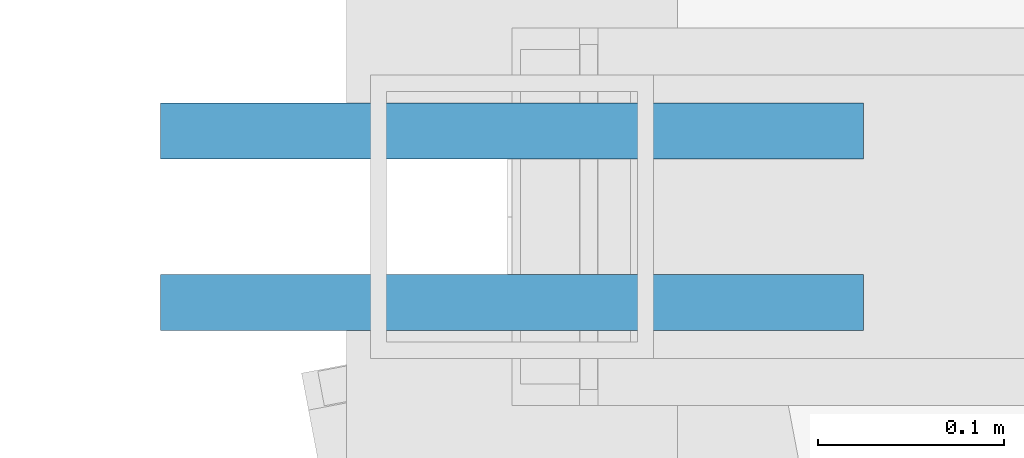
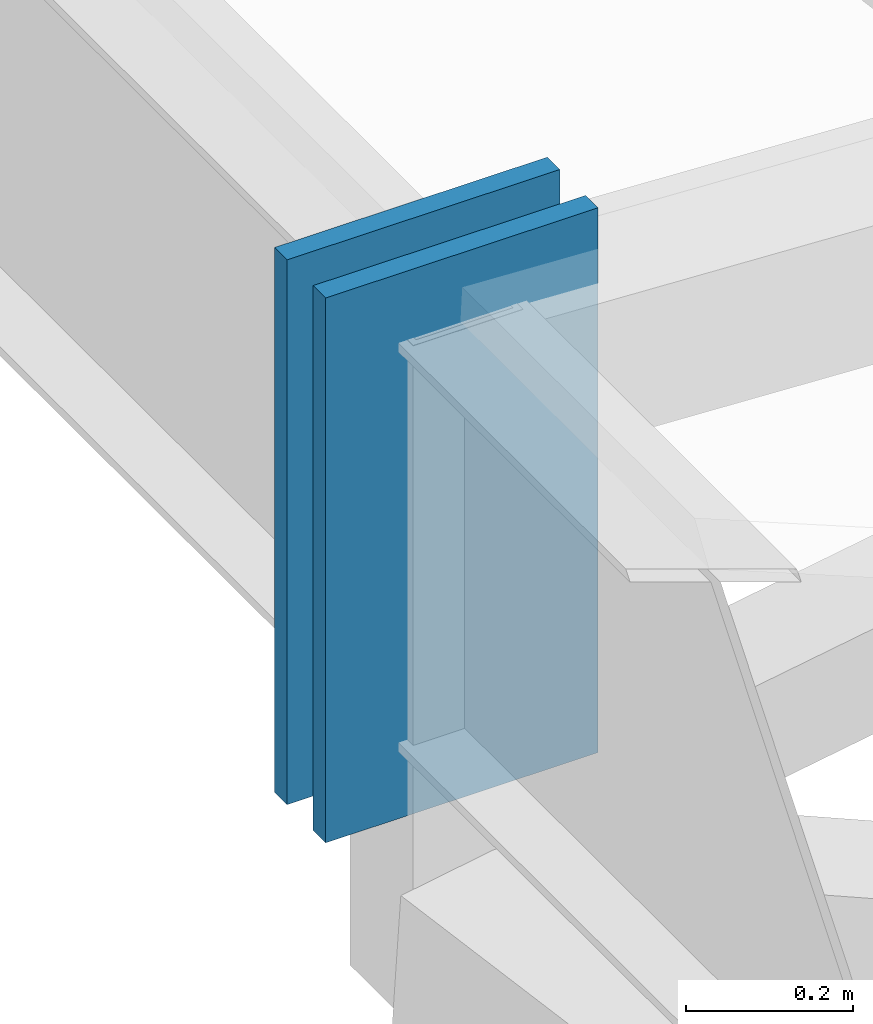
# One storey, part 201 of 278: 2 discrete accessories.
"""IFC4 building model written with IfcOpenShell, lengths in metres."""

from ifc_helpers import new_model, si_unit, direction, frame, origin, origin_2d, place, context, subcontext, project, spatial, rectangle, extrude, material, layer, layer_set, type_object, element, save


model = new_model("IFC4")

# Units and contexts
model_context = context("Model", 3, precision=1e-05, world=origin(), true_north=direction((0.0, 1.0)))
body_context = subcontext(model_context, "Body", "Model", "MODEL_VIEW")
ifc_project = project(units=[si_unit("LENGTHUNIT", "METRE"), si_unit("AREAUNIT", "SQUARE_METRE"), si_unit("VOLUMEUNIT", "CUBIC_METRE"), si_unit("PLANEANGLEUNIT", "RADIAN"), si_unit("MASSUNIT", "GRAM", prefix="KILO")], contexts=[model_context])

# Site, building, storey
site_placement = place(None, origin())
site = spatial("IfcSite", under=ifc_project, at=site_placement, CompositionType="ELEMENT")
building_placement = place(site_placement, origin())
building = spatial("IfcBuilding", under=site, at=building_placement, Name="Ogive Plaza Stadium", CompositionType="ELEMENT")
storey_placement = place(building_placement, frame((0.0, 0.0, 29.0)))
storey = spatial("IfcBuildingStorey", under=building, at=storey_placement, Name="Roof", CompositionType="ELEMENT", Elevation=29.0)

# Discrete accessories
ifc_material = material(Name="Steel ASTM A992 Grade 50", Category="steel")
ifc_layer = layer(ifc_material, 0.030029296875)
ifc_layer_set = layer_set([ifc_layer], Name="Steel ASTM A992 Grade 50")
discrete_accessory_type = type_object("IfcDiscreteAccessoryType", Name="Ring beam end plate 30", PredefinedType="ANCHORPLATE", material=ifc_layer_set)
for number, where, z_axis, x_axis, name in (
    (1, (45.5, 22.546142578125, 6.7265625), (0.0, 0.0, 1.0), (0.0, -1.0, 0.0), "RING BEAM END PLATE B02 2"),
    (2, (45.5, 22.453857421875, 6.7265625), (0.0, 0.0, 1.0), (0.0, -1.0, 0.0), "RING BEAM END PLATE B03 1"),
):
    element("IfcDiscreteAccessory", number, at=place(storey_placement, frame(where, z_axis=z_axis, x_axis=x_axis)), inside=storey, type_object=discrete_accessory_type, Name=name, PredefinedType="ANCHORPLATE", context=body_context, shape_type="SweptSolid", body=[
        extrude(rectangle(XDim=0.030029296875, YDim=0.3779296875, at=origin_2d()), origin(), (0.0, 0.0, 1.0), 0.798583984375),
    ])

save(model, "model.ifc")
